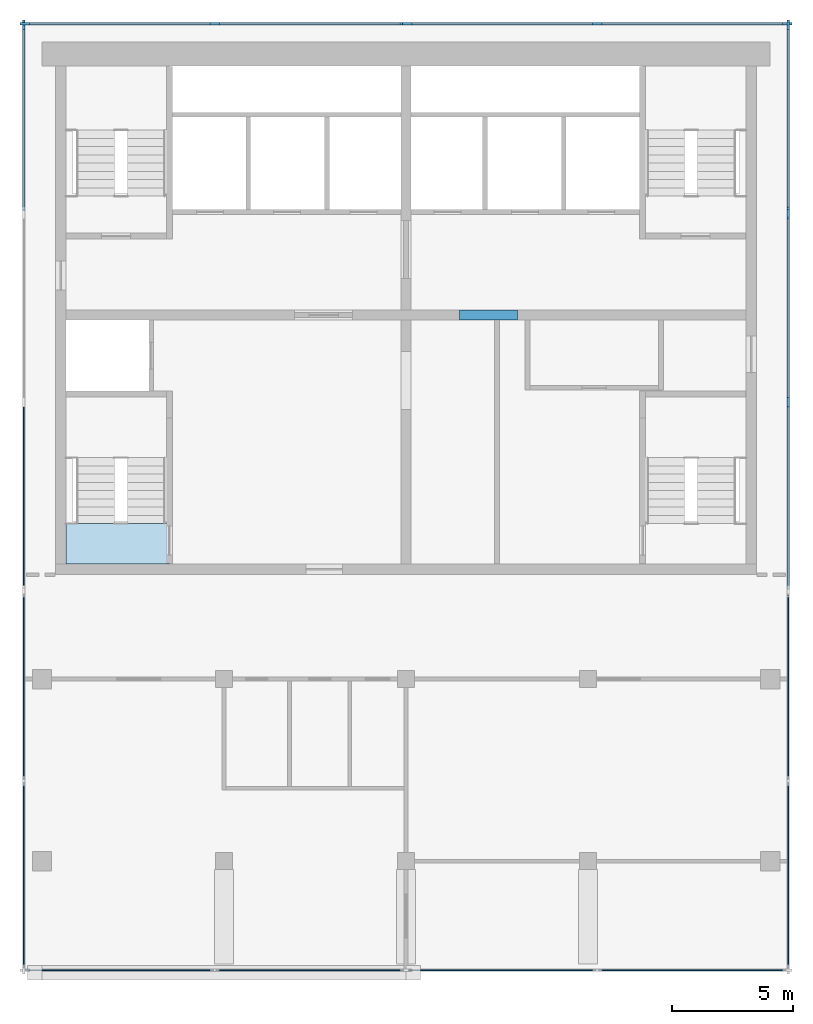
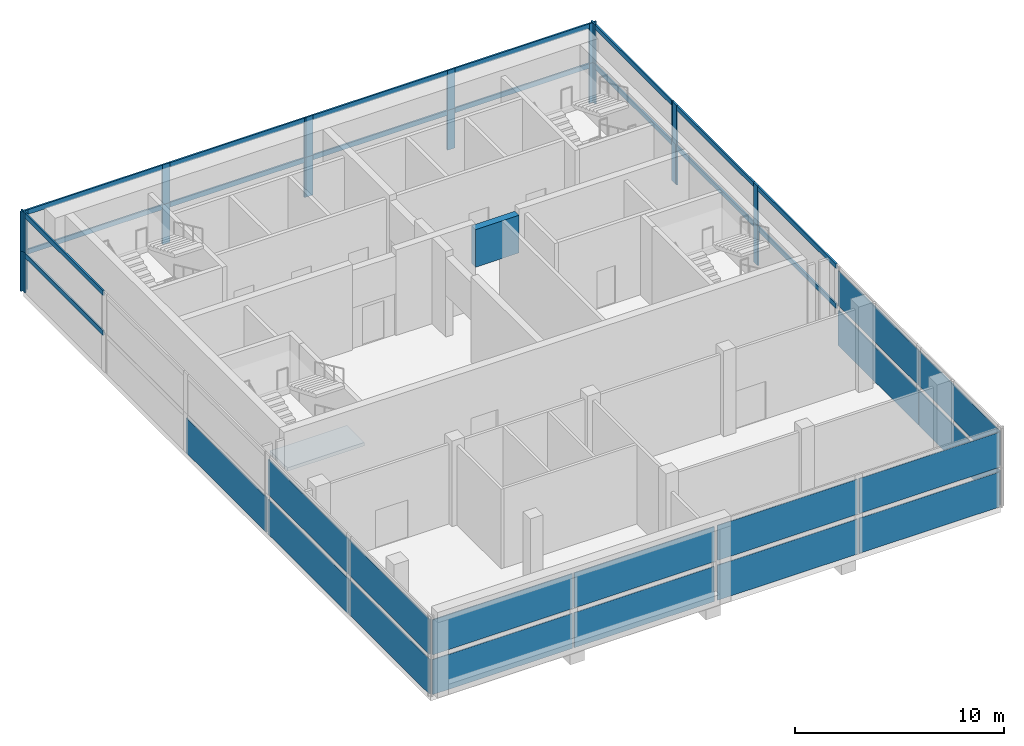
# One storey, part 2 of 6: 38 members, 17 plates, 1 beam, 1 slab, 20 elements without a shape of their own.
"""IFC4 building model written with IfcOpenShell, lengths in metres."""

from ifc_helpers import new_model, si_unit, direction, frame, origin, origin_2d, place, context, subcontext, project, spatial, polyline, rectangle, outline, extrude, material, layer, layer_set, material_profile, profile_set, type_object, element, aggregate, save


model = new_model("IFC4")

# Units and contexts
model_context = context("Model", 3, precision=1e-05, world=origin(), true_north=direction((0.0, 1.0)))
body_context = subcontext(model_context, "Body", "Model", "MODEL_VIEW")
ifc_project = project(units=[si_unit("LENGTHUNIT", "METRE"), si_unit("AREAUNIT", "SQUARE_METRE"), si_unit("VOLUMEUNIT", "CUBIC_METRE"), si_unit("PLANEANGLEUNIT", "RADIAN"), si_unit("MASSUNIT", "GRAM", prefix="KILO")], contexts=[model_context])

# Site, building, storey
site_placement = place(None, origin())
site = spatial("IfcSite", under=ifc_project, at=site_placement, CompositionType="ELEMENT")
building_placement = place(site_placement, origin())
building = spatial("IfcBuilding", under=site, at=building_placement, Name="Pilkhan Gate Tower", CompositionType="ELEMENT")
storey_placement = place(building_placement, frame((0.0, 0.0, 287.699951171875)))
storey = spatial("IfcBuildingStorey", under=building, at=storey_placement, Name="L75", CompositionType="ELEMENT", Elevation=287.699951171875)

# Beam
ifc_material_1 = material(Name="Concrete C50/60", Category="concrete")
ifc_material_profile_1 = material_profile(ifc_material_1, rectangle(XDim=0.39990234375, YDim=2.199951171875, at=origin_2d()), Name="RC 400x2200")
ifc_profile_set_1 = profile_set([ifc_material_profile_1], Name="Concrete C50/60")
beam_type = type_object("IfcBeamType", Name="Coupling beam CB220-4 RC 400x2200 C50/60", PredefinedType="LINTEL", material=ifc_profile_set_1)
beam_placement = place(storey_placement, frame((77.199951171875, 82.5, 3.550048828125), z_axis=(1.0, 0.0, 0.0), x_axis=(0.0, 1.0, 0.0)))
element("IfcBeam", 1, at=beam_placement, inside=storey, type_object=beam_type, Name="Coupling beam 2 L75", PredefinedType="LINTEL", context=body_context, shape_type="SweptSolid", body=[
    extrude(rectangle(XDim=0.39990234375, YDim=2.199951171875, at=origin_2d()), origin(), (0.0, 0.0, 1.0), 2.400146484375),
])

# Curtain wall, members
ifc_material_2 = material(Name="Pale anodised aluminium, clear low-iron laminated glazing", Category="aluminium")
curtain_wall_type = type_object("IfcCurtainWallType", Name="Sky lobby and deck curtain wall CW-S", PredefinedType="USERDEFINED", material=ifc_material_2)
curtain_wall_1_placement = place(storey_placement, origin())
curtain_wall_1 = element("IfcCurtainWall", 2, at=curtain_wall_1_placement, inside=storey, type_object=curtain_wall_type, Name="Sky lobby and deck curtain wall CW-S L75 E", ObjectType="UNITISED CURTAIN WALL", PredefinedType="USERDEFINED")
ifc_material_3 = material(Name="Pale anodised aluminium", Category="aluminium")
ifc_material_profile_2 = material_profile(ifc_material_3, rectangle(XDim=0.090087890625, YDim=0.39990234375, at=origin_2d()), Name="Mullion 400x90")
ifc_profile_set_2 = profile_set([ifc_material_profile_2], Name="Pale anodised aluminium")
member_type_1 = type_object("IfcMemberType", Name="Mullion CW-S 400x90", PredefinedType="MULLION", material=ifc_profile_set_2)
member_1_placement = place(storey_placement, frame((90.75, 78.89990234375, 0.0), z_axis=(0.0, 0.0, 1.0), x_axis=(-1.0, 0.0, 0.0)))
member_1 = element("IfcMember", 3, at=member_1_placement, type_object=member_type_1, Name="CW-S mullion 2", PredefinedType="MULLION", context=body_context, shape_type="SweptSolid", body=[
    extrude(rectangle(XDim=0.090087890625, YDim=0.39990234375, at=origin_2d()), origin(), (0.0, 0.0, 1.0), 2.324951171875),
])
member_2_placement = place(storey_placement, frame((90.75, 86.655029296875, 0.0), z_axis=(0.0, 0.0, 1.0), x_axis=(-1.0, 0.0, 0.0)))
member_2 = element("IfcMember", 4, at=member_2_placement, type_object=member_type_1, Name="CW-S mullion 3", PredefinedType="MULLION", context=body_context, shape_type="SweptSolid", body=[
    extrude(rectangle(XDim=0.090087890625, YDim=0.39990234375, at=origin_2d()), origin(), (0.0, 0.0, 1.0), 2.324951171875),
])

curtain_wall_2_placement = place(storey_placement, origin())
curtain_wall_2 = element("IfcCurtainWall", 5, at=curtain_wall_2_placement, inside=storey, type_object=curtain_wall_type, Name="Sky lobby and deck curtain wall CW-S L75 E", ObjectType="UNITISED CURTAIN WALL", PredefinedType="USERDEFINED")
member_3_placement = place(storey_placement, frame((90.75, 86.7451171875, 0.0), z_axis=(0.0, 0.0, 1.0), x_axis=(-1.0, 0.0, 0.0)))
member_3 = element("IfcMember", 6, at=member_3_placement, type_object=member_type_1, Name="CW-S mullion 1", PredefinedType="MULLION", context=body_context, shape_type="SweptSolid", body=[
    extrude(rectangle(XDim=0.090087890625, YDim=0.39990234375, at=origin_2d()), origin(), (0.0, 0.0, 1.0), 2.324951171875),
])
member_4_placement = place(storey_placement, frame((90.75, 94.455078125, 0.0), z_axis=(0.0, 0.0, 1.0), x_axis=(-1.0, 0.0, 0.0)))
member_4 = element("IfcMember", 7, at=member_4_placement, type_object=member_type_1, Name="CW-S mullion 2", PredefinedType="MULLION", context=body_context, shape_type="SweptSolid", body=[
    extrude(rectangle(XDim=0.090087890625, YDim=0.39990234375, at=origin_2d()), origin(), (0.0, 0.0, 1.0), 2.324951171875),
])

curtain_wall_3_placement = place(storey_placement, origin())
curtain_wall_3 = element("IfcCurtainWall", 8, at=curtain_wall_3_placement, inside=storey, type_object=curtain_wall_type, Name="Sky lobby and deck curtain wall CW-S L75 E", ObjectType="UNITISED CURTAIN WALL", PredefinedType="USERDEFINED")
member_5_placement = place(storey_placement, frame((90.75, 78.89990234375, 2.324951171875), z_axis=(0.0, 0.0, 1.0), x_axis=(-1.0, 0.0, 0.0)))
member_5 = element("IfcMember", 9, at=member_5_placement, type_object=member_type_1, Name="CW-S mullion 2", PredefinedType="MULLION", context=body_context, shape_type="SweptSolid", body=[
    extrude(rectangle(XDim=0.090087890625, YDim=0.39990234375, at=origin_2d()), origin(), (0.0, 0.0, 1.0), 2.3251953125),
])
member_6_placement = place(storey_placement, frame((90.75, 86.655029296875, 2.324951171875), z_axis=(0.0, 0.0, 1.0), x_axis=(-1.0, 0.0, 0.0)))
member_6 = element("IfcMember", 10, at=member_6_placement, type_object=member_type_1, Name="CW-S mullion 3", PredefinedType="MULLION", context=body_context, shape_type="SweptSolid", body=[
    extrude(rectangle(XDim=0.090087890625, YDim=0.39990234375, at=origin_2d()), origin(), (0.0, 0.0, 1.0), 2.3251953125),
])

curtain_wall_4_placement = place(storey_placement, origin())
curtain_wall_4 = element("IfcCurtainWall", 11, at=curtain_wall_4_placement, inside=storey, type_object=curtain_wall_type, Name="Sky lobby and deck curtain wall CW-S L75 E", ObjectType="UNITISED CURTAIN WALL", PredefinedType="USERDEFINED")
member_7_placement = place(storey_placement, frame((90.75, 86.7451171875, 2.324951171875), z_axis=(0.0, 0.0, 1.0), x_axis=(-1.0, 0.0, 0.0)))
member_7 = element("IfcMember", 12, at=member_7_placement, type_object=member_type_1, Name="CW-S mullion 1", PredefinedType="MULLION", context=body_context, shape_type="SweptSolid", body=[
    extrude(rectangle(XDim=0.090087890625, YDim=0.39990234375, at=origin_2d()), origin(), (0.0, 0.0, 1.0), 2.3251953125),
])
member_8_placement = place(storey_placement, frame((90.75, 94.455078125, 2.324951171875), z_axis=(0.0, 0.0, 1.0), x_axis=(-1.0, 0.0, 0.0)))
member_8 = element("IfcMember", 13, at=member_8_placement, type_object=member_type_1, Name="CW-S mullion 2", PredefinedType="MULLION", context=body_context, shape_type="SweptSolid", body=[
    extrude(rectangle(XDim=0.090087890625, YDim=0.39990234375, at=origin_2d()), origin(), (0.0, 0.0, 1.0), 2.3251953125),
])

curtain_wall_5_placement = place(storey_placement, origin())
curtain_wall_5 = element("IfcCurtainWall", 14, at=curtain_wall_5_placement, inside=storey, type_object=curtain_wall_type, Name="Sky lobby and deck curtain wall CW-S L75 N", ObjectType="UNITISED CURTAIN WALL", PredefinedType="USERDEFINED")
member_9_placement = place(storey_placement, frame((59.294921875, 94.5, 0.0), z_axis=(0.0, 0.0, 1.0), x_axis=(0.0, 1.0, 0.0)))
member_9 = element("IfcMember", 15, at=member_9_placement, type_object=member_type_1, Name="CW-S mullion 1", PredefinedType="MULLION", context=body_context, shape_type="SweptSolid", body=[
    extrude(rectangle(XDim=0.090087890625, YDim=0.39990234375, at=origin_2d()), origin(), (0.0, 0.0, 1.0), 2.324951171875),
])
member_10_placement = place(storey_placement, frame((67.125, 94.5, 0.0), z_axis=(0.0, 0.0, 1.0), x_axis=(0.0, 1.0, 0.0)))
member_10 = element("IfcMember", 16, at=member_10_placement, type_object=member_type_1, Name="CW-S mullion 2", PredefinedType="MULLION", context=body_context, shape_type="SweptSolid", body=[
    extrude(rectangle(XDim=0.090087890625, YDim=0.39990234375, at=origin_2d()), origin(), (0.0, 0.0, 1.0), 2.324951171875),
])
member_11_placement = place(storey_placement, frame((74.955078125, 94.5, 0.0), z_axis=(0.0, 0.0, 1.0), x_axis=(0.0, 1.0, 0.0)))
member_11 = element("IfcMember", 17, at=member_11_placement, type_object=member_type_1, Name="CW-S mullion 3", PredefinedType="MULLION", context=body_context, shape_type="SweptSolid", body=[
    extrude(rectangle(XDim=0.090087890625, YDim=0.39990234375, at=origin_2d()), origin(), (0.0, 0.0, 1.0), 2.324951171875),
])

curtain_wall_6_placement = place(storey_placement, origin())
curtain_wall_6 = element("IfcCurtainWall", 18, at=curtain_wall_6_placement, inside=storey, type_object=curtain_wall_type, Name="Sky lobby and deck curtain wall CW-S L75 N", ObjectType="UNITISED CURTAIN WALL", PredefinedType="USERDEFINED")
member_12_placement = place(storey_placement, frame((75.044921875, 94.5, 0.0), z_axis=(0.0, 0.0, 1.0), x_axis=(0.0, 1.0, 0.0)))
member_12 = element("IfcMember", 19, at=member_12_placement, type_object=member_type_1, Name="CW-S mullion 1", PredefinedType="MULLION", context=body_context, shape_type="SweptSolid", body=[
    extrude(rectangle(XDim=0.090087890625, YDim=0.39990234375, at=origin_2d()), origin(), (0.0, 0.0, 1.0), 2.324951171875),
])
member_13_placement = place(storey_placement, frame((82.875, 94.5, 0.0), z_axis=(0.0, 0.0, 1.0), x_axis=(0.0, 1.0, 0.0)))
member_13 = element("IfcMember", 20, at=member_13_placement, type_object=member_type_1, Name="CW-S mullion 2", PredefinedType="MULLION", context=body_context, shape_type="SweptSolid", body=[
    extrude(rectangle(XDim=0.090087890625, YDim=0.39990234375, at=origin_2d()), origin(), (0.0, 0.0, 1.0), 2.324951171875),
])
member_14_placement = place(storey_placement, frame((90.705078125, 94.5, 0.0), z_axis=(0.0, 0.0, 1.0), x_axis=(0.0, 1.0, 0.0)))
member_14 = element("IfcMember", 21, at=member_14_placement, type_object=member_type_1, Name="CW-S mullion 3", PredefinedType="MULLION", context=body_context, shape_type="SweptSolid", body=[
    extrude(rectangle(XDim=0.090087890625, YDim=0.39990234375, at=origin_2d()), origin(), (0.0, 0.0, 1.0), 2.324951171875),
])

curtain_wall_7_placement = place(storey_placement, origin())
curtain_wall_7 = element("IfcCurtainWall", 22, at=curtain_wall_7_placement, inside=storey, type_object=curtain_wall_type, Name="Sky lobby and deck curtain wall CW-S L75 N", ObjectType="UNITISED CURTAIN WALL", PredefinedType="USERDEFINED")
member_15_placement = place(storey_placement, frame((59.294921875, 94.5, 2.324951171875), z_axis=(0.0, 0.0, 1.0), x_axis=(0.0, 1.0, 0.0)))
member_15 = element("IfcMember", 23, at=member_15_placement, type_object=member_type_1, Name="CW-S mullion 1", PredefinedType="MULLION", context=body_context, shape_type="SweptSolid", body=[
    extrude(rectangle(XDim=0.090087890625, YDim=0.39990234375, at=origin_2d()), origin(), (0.0, 0.0, 1.0), 2.3251953125),
])
member_16_placement = place(storey_placement, frame((67.125, 94.5, 2.324951171875), z_axis=(0.0, 0.0, 1.0), x_axis=(0.0, 1.0, 0.0)))
member_16 = element("IfcMember", 24, at=member_16_placement, type_object=member_type_1, Name="CW-S mullion 2", PredefinedType="MULLION", context=body_context, shape_type="SweptSolid", body=[
    extrude(rectangle(XDim=0.090087890625, YDim=0.39990234375, at=origin_2d()), origin(), (0.0, 0.0, 1.0), 2.3251953125),
])
member_17_placement = place(storey_placement, frame((74.955078125, 94.5, 2.324951171875), z_axis=(0.0, 0.0, 1.0), x_axis=(0.0, 1.0, 0.0)))
member_17 = element("IfcMember", 25, at=member_17_placement, type_object=member_type_1, Name="CW-S mullion 3", PredefinedType="MULLION", context=body_context, shape_type="SweptSolid", body=[
    extrude(rectangle(XDim=0.090087890625, YDim=0.39990234375, at=origin_2d()), origin(), (0.0, 0.0, 1.0), 2.3251953125),
])

curtain_wall_8_placement = place(storey_placement, origin())
curtain_wall_8 = element("IfcCurtainWall", 26, at=curtain_wall_8_placement, inside=storey, type_object=curtain_wall_type, Name="Sky lobby and deck curtain wall CW-S L75 N", ObjectType="UNITISED CURTAIN WALL", PredefinedType="USERDEFINED")
member_18_placement = place(storey_placement, frame((75.044921875, 94.5, 2.324951171875), z_axis=(0.0, 0.0, 1.0), x_axis=(0.0, 1.0, 0.0)))
member_18 = element("IfcMember", 27, at=member_18_placement, type_object=member_type_1, Name="CW-S mullion 1", PredefinedType="MULLION", context=body_context, shape_type="SweptSolid", body=[
    extrude(rectangle(XDim=0.090087890625, YDim=0.39990234375, at=origin_2d()), origin(), (0.0, 0.0, 1.0), 2.3251953125),
])
member_19_placement = place(storey_placement, frame((82.875, 94.5, 2.324951171875), z_axis=(0.0, 0.0, 1.0), x_axis=(0.0, 1.0, 0.0)))
member_19 = element("IfcMember", 28, at=member_19_placement, type_object=member_type_1, Name="CW-S mullion 2", PredefinedType="MULLION", context=body_context, shape_type="SweptSolid", body=[
    extrude(rectangle(XDim=0.090087890625, YDim=0.39990234375, at=origin_2d()), origin(), (0.0, 0.0, 1.0), 2.3251953125),
])
member_20_placement = place(storey_placement, frame((90.705078125, 94.5, 2.324951171875), z_axis=(0.0, 0.0, 1.0), x_axis=(0.0, 1.0, 0.0)))
member_20 = element("IfcMember", 29, at=member_20_placement, type_object=member_type_1, Name="CW-S mullion 3", PredefinedType="MULLION", context=body_context, shape_type="SweptSolid", body=[
    extrude(rectangle(XDim=0.090087890625, YDim=0.39990234375, at=origin_2d()), origin(), (0.0, 0.0, 1.0), 2.3251953125),
])

# Curtain wall, member
curtain_wall_9_placement = place(storey_placement, origin())
curtain_wall_9 = element("IfcCurtainWall", 30, at=curtain_wall_9_placement, inside=storey, type_object=curtain_wall_type, Name="Sky lobby and deck curtain wall CW-S L75 W", ObjectType="UNITISED CURTAIN WALL", PredefinedType="USERDEFINED")
member_21_placement = place(storey_placement, frame((59.25, 94.455078125, 0.0), z_axis=(0.0, 0.0, 1.0), x_axis=(-1.0, 0.0, 0.0)))
member_21 = element("IfcMember", 31, at=member_21_placement, type_object=member_type_1, Name="CW-S mullion 2", PredefinedType="MULLION", context=body_context, shape_type="SweptSolid", body=[
    extrude(rectangle(XDim=0.090087890625, YDim=0.39990234375, at=origin_2d()), origin(), (0.0, 0.0, 1.0), 2.324951171875),
])

curtain_wall_10_placement = place(storey_placement, origin())
curtain_wall_10 = element("IfcCurtainWall", 32, at=curtain_wall_10_placement, inside=storey, type_object=curtain_wall_type, Name="Sky lobby and deck curtain wall CW-S L75 W", ObjectType="UNITISED CURTAIN WALL", PredefinedType="USERDEFINED")
member_22_placement = place(storey_placement, frame((59.25, 94.455078125, 2.324951171875), z_axis=(0.0, 0.0, 1.0), x_axis=(-1.0, 0.0, 0.0)))
member_22 = element("IfcMember", 33, at=member_22_placement, type_object=member_type_1, Name="CW-S mullion 2", PredefinedType="MULLION", context=body_context, shape_type="SweptSolid", body=[
    extrude(rectangle(XDim=0.090087890625, YDim=0.39990234375, at=origin_2d()), origin(), (0.0, 0.0, 1.0), 2.3251953125),
])

# Member
ifc_material_profile_3 = material_profile(ifc_material_3, rectangle(XDim=0.090087890625, YDim=0.280029296875, at=origin_2d()), Name="Transom 280x90")
ifc_profile_set_3 = profile_set([ifc_material_profile_3], Name="Pale anodised aluminium")
member_type_2 = type_object("IfcMemberType", Name="Transom CW-S 280x90", PredefinedType="USERDEFINED", material=ifc_profile_set_3)
member_23_placement = place(storey_placement, frame((90.75, 71.18994140625, 2.18505859375), z_axis=(0.0, 1.0, 0.0), x_axis=(-1.0, 0.0, 0.0)))
member_23 = element("IfcMember", 34, at=member_23_placement, type_object=member_type_2, Name="CW-S transom 1", ObjectType="TRANSOM", PredefinedType="USERDEFINED", context=body_context, shape_type="SweptSolid", body=[
    extrude(rectangle(XDim=0.090087890625, YDim=0.280029296875, at=origin_2d()), origin(), (0.0, 0.0, 1.0), 7.6650390625),
])

member_24_placement = place(storey_placement, frame((90.75, 78.945068359375, 2.18505859375), z_axis=(0.0, 1.0, 0.0), x_axis=(-1.0, 0.0, 0.0)))
member_24 = element("IfcMember", 35, at=member_24_placement, type_object=member_type_2, Name="CW-S transom 2", ObjectType="TRANSOM", PredefinedType="USERDEFINED", context=body_context, shape_type="SweptSolid", body=[
    extrude(rectangle(XDim=0.090087890625, YDim=0.280029296875, at=origin_2d()), origin(), (0.0, 0.0, 1.0), 7.6650390625),
])

aggregate(curtain_wall_1, [member_1, member_2, member_23, member_24])

member_25_placement = place(storey_placement, frame((90.75, 86.7900390625, 2.18505859375), z_axis=(0.0, 1.0, 0.0), x_axis=(-1.0, 0.0, 0.0)))
member_25 = element("IfcMember", 36, at=member_25_placement, type_object=member_type_2, Name="CW-S transom 1", ObjectType="TRANSOM", PredefinedType="USERDEFINED", context=body_context, shape_type="SweptSolid", body=[
    extrude(rectangle(XDim=0.090087890625, YDim=0.280029296875, at=origin_2d()), origin(), (0.0, 0.0, 1.0), 7.619873046875),
])

aggregate(curtain_wall_2, [member_3, member_4, member_25])

member_26_placement = place(storey_placement, frame((90.75, 71.18994140625, 4.510009765625), z_axis=(0.0, 1.0, 0.0), x_axis=(-1.0, 0.0, 0.0)))
member_26 = element("IfcMember", 37, at=member_26_placement, type_object=member_type_2, Name="CW-S transom 1", ObjectType="TRANSOM", PredefinedType="USERDEFINED", context=body_context, shape_type="SweptSolid", body=[
    extrude(rectangle(XDim=0.090087890625, YDim=0.280029296875, at=origin_2d()), origin(), (0.0, 0.0, 1.0), 7.6650390625),
])

member_27_placement = place(storey_placement, frame((90.75, 78.945068359375, 4.510009765625), z_axis=(0.0, 1.0, 0.0), x_axis=(-1.0, 0.0, 0.0)))
member_27 = element("IfcMember", 38, at=member_27_placement, type_object=member_type_2, Name="CW-S transom 2", ObjectType="TRANSOM", PredefinedType="USERDEFINED", context=body_context, shape_type="SweptSolid", body=[
    extrude(rectangle(XDim=0.090087890625, YDim=0.280029296875, at=origin_2d()), origin(), (0.0, 0.0, 1.0), 7.6650390625),
])

aggregate(curtain_wall_3, [member_5, member_6, member_26, member_27])

member_28_placement = place(storey_placement, frame((90.75, 86.7900390625, 4.510009765625), z_axis=(0.0, 1.0, 0.0), x_axis=(-1.0, 0.0, 0.0)))
member_28 = element("IfcMember", 39, at=member_28_placement, type_object=member_type_2, Name="CW-S transom 1", ObjectType="TRANSOM", PredefinedType="USERDEFINED", context=body_context, shape_type="SweptSolid", body=[
    extrude(rectangle(XDim=0.090087890625, YDim=0.280029296875, at=origin_2d()), origin(), (0.0, 0.0, 1.0), 7.619873046875),
])

aggregate(curtain_wall_4, [member_7, member_8, member_28])

member_29_placement = place(storey_placement, frame((59.340087890625, 94.5, 2.18505859375), z_axis=(1.0, 0.0, 0.0), x_axis=(0.0, 1.0, 0.0)))
member_29 = element("IfcMember", 40, at=member_29_placement, type_object=member_type_2, Name="CW-S transom 1", ObjectType="TRANSOM", PredefinedType="USERDEFINED", context=body_context, shape_type="SweptSolid", body=[
    extrude(rectangle(XDim=0.090087890625, YDim=0.280029296875, at=origin_2d()), origin(), (0.0, 0.0, 1.0), 7.739990234375),
])

member_30_placement = place(storey_placement, frame((67.169921875, 94.5, 2.18505859375), z_axis=(1.0, 0.0, 0.0), x_axis=(0.0, 1.0, 0.0)))
member_30 = element("IfcMember", 41, at=member_30_placement, type_object=member_type_2, Name="CW-S transom 2", ObjectType="TRANSOM", PredefinedType="USERDEFINED", context=body_context, shape_type="SweptSolid", body=[
    extrude(rectangle(XDim=0.090087890625, YDim=0.280029296875, at=origin_2d()), origin(), (0.0, 0.0, 1.0), 7.739990234375),
])

aggregate(curtain_wall_5, [member_9, member_10, member_11, member_29, member_30])

member_31_placement = place(storey_placement, frame((75.090087890625, 94.5, 2.18505859375), z_axis=(1.0, 0.0, 0.0), x_axis=(0.0, 1.0, 0.0)))
member_31 = element("IfcMember", 42, at=member_31_placement, type_object=member_type_2, Name="CW-S transom 1", ObjectType="TRANSOM", PredefinedType="USERDEFINED", context=body_context, shape_type="SweptSolid", body=[
    extrude(rectangle(XDim=0.090087890625, YDim=0.280029296875, at=origin_2d()), origin(), (0.0, 0.0, 1.0), 7.739990234375),
])

member_32_placement = place(storey_placement, frame((82.919921875, 94.5, 2.18505859375), z_axis=(1.0, 0.0, 0.0), x_axis=(0.0, 1.0, 0.0)))
member_32 = element("IfcMember", 43, at=member_32_placement, type_object=member_type_2, Name="CW-S transom 2", ObjectType="TRANSOM", PredefinedType="USERDEFINED", context=body_context, shape_type="SweptSolid", body=[
    extrude(rectangle(XDim=0.090087890625, YDim=0.280029296875, at=origin_2d()), origin(), (0.0, 0.0, 1.0), 7.739990234375),
])

aggregate(curtain_wall_6, [member_12, member_13, member_14, member_31, member_32])

member_33_placement = place(storey_placement, frame((59.340087890625, 94.5, 4.510009765625), z_axis=(1.0, 0.0, 0.0), x_axis=(0.0, 1.0, 0.0)))
member_33 = element("IfcMember", 44, at=member_33_placement, type_object=member_type_2, Name="CW-S transom 1", ObjectType="TRANSOM", PredefinedType="USERDEFINED", context=body_context, shape_type="SweptSolid", body=[
    extrude(rectangle(XDim=0.090087890625, YDim=0.280029296875, at=origin_2d()), origin(), (0.0, 0.0, 1.0), 7.739990234375),
])

member_34_placement = place(storey_placement, frame((67.169921875, 94.5, 4.510009765625), z_axis=(1.0, 0.0, 0.0), x_axis=(0.0, 1.0, 0.0)))
member_34 = element("IfcMember", 45, at=member_34_placement, type_object=member_type_2, Name="CW-S transom 2", ObjectType="TRANSOM", PredefinedType="USERDEFINED", context=body_context, shape_type="SweptSolid", body=[
    extrude(rectangle(XDim=0.090087890625, YDim=0.280029296875, at=origin_2d()), origin(), (0.0, 0.0, 1.0), 7.739990234375),
])

aggregate(curtain_wall_7, [member_15, member_16, member_17, member_33, member_34])

member_35_placement = place(storey_placement, frame((75.090087890625, 94.5, 4.510009765625), z_axis=(1.0, 0.0, 0.0), x_axis=(0.0, 1.0, 0.0)))
member_35 = element("IfcMember", 46, at=member_35_placement, type_object=member_type_2, Name="CW-S transom 1", ObjectType="TRANSOM", PredefinedType="USERDEFINED", context=body_context, shape_type="SweptSolid", body=[
    extrude(rectangle(XDim=0.090087890625, YDim=0.280029296875, at=origin_2d()), origin(), (0.0, 0.0, 1.0), 7.739990234375),
])

member_36_placement = place(storey_placement, frame((82.919921875, 94.5, 4.510009765625), z_axis=(1.0, 0.0, 0.0), x_axis=(0.0, 1.0, 0.0)))
member_36 = element("IfcMember", 47, at=member_36_placement, type_object=member_type_2, Name="CW-S transom 2", ObjectType="TRANSOM", PredefinedType="USERDEFINED", context=body_context, shape_type="SweptSolid", body=[
    extrude(rectangle(XDim=0.090087890625, YDim=0.280029296875, at=origin_2d()), origin(), (0.0, 0.0, 1.0), 7.739990234375),
])

aggregate(curtain_wall_8, [member_18, member_19, member_20, member_35, member_36])

member_37_placement = place(storey_placement, frame((59.25, 86.7900390625, 2.18505859375), z_axis=(0.0, 1.0, 0.0), x_axis=(-1.0, 0.0, 0.0)))
member_37 = element("IfcMember", 48, at=member_37_placement, type_object=member_type_2, Name="CW-S transom 1", ObjectType="TRANSOM", PredefinedType="USERDEFINED", context=body_context, shape_type="SweptSolid", body=[
    extrude(rectangle(XDim=0.090087890625, YDim=0.280029296875, at=origin_2d()), origin(), (0.0, 0.0, 1.0), 7.619873046875),
])

aggregate(curtain_wall_9, [member_21, member_37])

member_38_placement = place(storey_placement, frame((59.25, 86.7900390625, 4.510009765625), z_axis=(0.0, 1.0, 0.0), x_axis=(-1.0, 0.0, 0.0)))
member_38 = element("IfcMember", 49, at=member_38_placement, type_object=member_type_2, Name="CW-S transom 1", ObjectType="TRANSOM", PredefinedType="USERDEFINED", context=body_context, shape_type="SweptSolid", body=[
    extrude(rectangle(XDim=0.090087890625, YDim=0.280029296875, at=origin_2d()), origin(), (0.0, 0.0, 1.0), 7.619873046875),
])

aggregate(curtain_wall_10, [member_22, member_38])

# Curtain wall, plates
curtain_wall_11_placement = place(storey_placement, origin())
curtain_wall_11 = element("IfcCurtainWall", 50, at=curtain_wall_11_placement, inside=storey, type_object=curtain_wall_type, Name="Sky lobby and deck curtain wall CW-S L75 E", ObjectType="UNITISED CURTAIN WALL", PredefinedType="USERDEFINED")
ifc_material_4 = material(Name="Clear low-iron laminated glazing", Category="glass")
ifc_layer_1 = layer(ifc_material_4, 0.055908203125)
ifc_layer_set_1 = layer_set([ifc_layer_1], Name="Glass panel CW-S 56")
plate_type = type_object("IfcPlateType", Name="Glass panel CW-S 56", PredefinedType="CURTAIN_PANEL", material=ifc_layer_set_1)
plate_1_placement = place(storey_placement, frame((90.75, 59.422607421875, 0.0), z_axis=(0.0, 0.0, 1.0), x_axis=(0.0, 1.0, 0.0)))
plate_1 = element("IfcPlate", 51, at=plate_1_placement, type_object=plate_type, Name="CW-S panel 1", PredefinedType="CURTAIN_PANEL", context=body_context, shape_type="SweptSolid", body=[
    extrude(rectangle(XDim=7.6650390625, YDim=0.055908203125, at=origin_2d()), origin(), (0.0, 0.0, 1.0), 2.044921875),
])
plate_2_placement = place(storey_placement, frame((90.75, 67.177490234375, 0.0), z_axis=(0.0, 0.0, 1.0), x_axis=(0.0, 1.0, 0.0)))
plate_2 = element("IfcPlate", 52, at=plate_2_placement, type_object=plate_type, Name="CW-S panel 2", PredefinedType="CURTAIN_PANEL", context=body_context, shape_type="SweptSolid", body=[
    extrude(rectangle(XDim=7.6650390625, YDim=0.055908203125, at=origin_2d()), origin(), (0.0, 0.0, 1.0), 2.044921875),
])
aggregate(curtain_wall_11, [plate_1, plate_2])

curtain_wall_12_placement = place(storey_placement, origin())
curtain_wall_12 = element("IfcCurtainWall", 53, at=curtain_wall_12_placement, inside=storey, type_object=curtain_wall_type, Name="Sky lobby and deck curtain wall CW-S L75 E", ObjectType="UNITISED CURTAIN WALL", PredefinedType="USERDEFINED")
plate_3_placement = place(storey_placement, frame((90.75, 59.422607421875, 2.3251953125), z_axis=(0.0, 0.0, 1.0), x_axis=(0.0, 1.0, 0.0)))
plate_3 = element("IfcPlate", 54, at=plate_3_placement, type_object=plate_type, Name="CW-S panel 1", PredefinedType="CURTAIN_PANEL", context=body_context, shape_type="SweptSolid", body=[
    extrude(rectangle(XDim=7.6650390625, YDim=0.055908203125, at=origin_2d()), origin(), (0.0, 0.0, 1.0), 2.044921875),
])
plate_4_placement = place(storey_placement, frame((90.75, 67.177490234375, 2.3251953125), z_axis=(0.0, 0.0, 1.0), x_axis=(0.0, 1.0, 0.0)))
plate_4 = element("IfcPlate", 55, at=plate_4_placement, type_object=plate_type, Name="CW-S panel 2", PredefinedType="CURTAIN_PANEL", context=body_context, shape_type="SweptSolid", body=[
    extrude(rectangle(XDim=7.6650390625, YDim=0.055908203125, at=origin_2d()), origin(), (0.0, 0.0, 1.0), 2.044921875),
])
aggregate(curtain_wall_12, [plate_3, plate_4])

curtain_wall_13_placement = place(storey_placement, origin())
curtain_wall_13 = element("IfcCurtainWall", 56, at=curtain_wall_13_placement, inside=storey, type_object=curtain_wall_type, Name="Sky lobby and deck curtain wall CW-S L75 W", ObjectType="UNITISED CURTAIN WALL", PredefinedType="USERDEFINED")
plate_5_placement = place(storey_placement, frame((59.25, 59.422607421875, 0.0), z_axis=(0.0, 0.0, 1.0), x_axis=(0.0, 1.0, 0.0)))
plate_5 = element("IfcPlate", 57, at=plate_5_placement, type_object=plate_type, Name="CW-S panel 1", PredefinedType="CURTAIN_PANEL", context=body_context, shape_type="SweptSolid", body=[
    extrude(rectangle(XDim=7.6650390625, YDim=0.055908203125, at=origin_2d()), origin(), (0.0, 0.0, 1.0), 2.044921875),
])
plate_6_placement = place(storey_placement, frame((59.25, 67.177490234375, 0.0), z_axis=(0.0, 0.0, 1.0), x_axis=(0.0, 1.0, 0.0)))
plate_6 = element("IfcPlate", 58, at=plate_6_placement, type_object=plate_type, Name="CW-S panel 2", PredefinedType="CURTAIN_PANEL", context=body_context, shape_type="SweptSolid", body=[
    extrude(rectangle(XDim=7.6650390625, YDim=0.055908203125, at=origin_2d()), origin(), (0.0, 0.0, 1.0), 2.044921875),
])
aggregate(curtain_wall_13, [plate_5, plate_6])

# Curtain wall, plate
curtain_wall_14_placement = place(storey_placement, origin())
curtain_wall_14 = element("IfcCurtainWall", 59, at=curtain_wall_14_placement, inside=storey, type_object=curtain_wall_type, Name="Sky lobby and deck curtain wall CW-S L75 W", ObjectType="UNITISED CURTAIN WALL", PredefinedType="USERDEFINED")
plate_7_placement = place(storey_placement, frame((59.25, 75.0224609375, 0.0), z_axis=(0.0, 0.0, 1.0), x_axis=(0.0, 1.0, 0.0)))
plate_7 = element("IfcPlate", 60, at=plate_7_placement, type_object=plate_type, Name="CW-S panel 1", PredefinedType="CURTAIN_PANEL", context=body_context, shape_type="SweptSolid", body=[
    extrude(rectangle(XDim=7.6650390625, YDim=0.055908203125, at=origin_2d()), origin(), (0.0, 0.0, 1.0), 2.044921875),
])
aggregate(curtain_wall_14, [plate_7])

# Curtain wall, plates
curtain_wall_15_placement = place(storey_placement, origin())
curtain_wall_15 = element("IfcCurtainWall", 61, at=curtain_wall_15_placement, inside=storey, type_object=curtain_wall_type, Name="Sky lobby and deck curtain wall CW-S L75 W", ObjectType="UNITISED CURTAIN WALL", PredefinedType="USERDEFINED")
plate_8_placement = place(storey_placement, frame((59.25, 59.422607421875, 2.3251953125), z_axis=(0.0, 0.0, 1.0), x_axis=(0.0, 1.0, 0.0)))
plate_8 = element("IfcPlate", 62, at=plate_8_placement, type_object=plate_type, Name="CW-S panel 1", PredefinedType="CURTAIN_PANEL", context=body_context, shape_type="SweptSolid", body=[
    extrude(rectangle(XDim=7.6650390625, YDim=0.055908203125, at=origin_2d()), origin(), (0.0, 0.0, 1.0), 2.044921875),
])
plate_9_placement = place(storey_placement, frame((59.25, 67.177490234375, 2.3251953125), z_axis=(0.0, 0.0, 1.0), x_axis=(0.0, 1.0, 0.0)))
plate_9 = element("IfcPlate", 63, at=plate_9_placement, type_object=plate_type, Name="CW-S panel 2", PredefinedType="CURTAIN_PANEL", context=body_context, shape_type="SweptSolid", body=[
    extrude(rectangle(XDim=7.6650390625, YDim=0.055908203125, at=origin_2d()), origin(), (0.0, 0.0, 1.0), 2.044921875),
])
aggregate(curtain_wall_15, [plate_8, plate_9])

curtain_wall_16_placement = place(storey_placement, origin())
curtain_wall_16 = element("IfcCurtainWall", 64, at=curtain_wall_16_placement, inside=storey, type_object=curtain_wall_type, Name="Sky lobby and deck curtain wall CW-S L75 S", ObjectType="UNITISED CURTAIN WALL", PredefinedType="USERDEFINED")
plate_10_placement = place(storey_placement, frame((63.2099609375, 55.5, 0.0), z_axis=(0.0, 0.0, 1.0), x_axis=(1.0, 0.0, 0.0)))
plate_10 = element("IfcPlate", 65, at=plate_10_placement, type_object=plate_type, Name="CW-S panel 1", PredefinedType="CURTAIN_PANEL", context=body_context, shape_type="SweptSolid", body=[
    extrude(rectangle(XDim=7.739990234375, YDim=0.055908203125, at=origin_2d()), origin(), (0.0, 0.0, 1.0), 2.044921875),
])
plate_11_placement = place(storey_placement, frame((71.0400390625, 55.5, 0.0), z_axis=(0.0, 0.0, 1.0), x_axis=(1.0, 0.0, 0.0)))
plate_11 = element("IfcPlate", 66, at=plate_11_placement, type_object=plate_type, Name="CW-S panel 2", PredefinedType="CURTAIN_PANEL", context=body_context, shape_type="SweptSolid", body=[
    extrude(rectangle(XDim=7.739990234375, YDim=0.055908203125, at=origin_2d()), origin(), (0.0, 0.0, 1.0), 2.044921875),
])
aggregate(curtain_wall_16, [plate_10, plate_11])

curtain_wall_17_placement = place(storey_placement, origin())
curtain_wall_17 = element("IfcCurtainWall", 67, at=curtain_wall_17_placement, inside=storey, type_object=curtain_wall_type, Name="Sky lobby and deck curtain wall CW-S L75 S", ObjectType="UNITISED CURTAIN WALL", PredefinedType="USERDEFINED")
plate_12_placement = place(storey_placement, frame((78.9599609375, 55.5, 0.0), z_axis=(0.0, 0.0, 1.0), x_axis=(1.0, 0.0, 0.0)))
plate_12 = element("IfcPlate", 68, at=plate_12_placement, type_object=plate_type, Name="CW-S panel 1", PredefinedType="CURTAIN_PANEL", context=body_context, shape_type="SweptSolid", body=[
    extrude(rectangle(XDim=7.739990234375, YDim=0.055908203125, at=origin_2d()), origin(), (0.0, 0.0, 1.0), 2.044921875),
])
plate_13_placement = place(storey_placement, frame((86.7900390625, 55.5, 0.0), z_axis=(0.0, 0.0, 1.0), x_axis=(1.0, 0.0, 0.0)))
plate_13 = element("IfcPlate", 69, at=plate_13_placement, type_object=plate_type, Name="CW-S panel 2", PredefinedType="CURTAIN_PANEL", context=body_context, shape_type="SweptSolid", body=[
    extrude(rectangle(XDim=7.739990234375, YDim=0.055908203125, at=origin_2d()), origin(), (0.0, 0.0, 1.0), 2.044921875),
])
aggregate(curtain_wall_17, [plate_12, plate_13])

curtain_wall_18_placement = place(storey_placement, origin())
curtain_wall_18 = element("IfcCurtainWall", 70, at=curtain_wall_18_placement, inside=storey, type_object=curtain_wall_type, Name="Sky lobby and deck curtain wall CW-S L75 S", ObjectType="UNITISED CURTAIN WALL", PredefinedType="USERDEFINED")
plate_14_placement = place(storey_placement, frame((63.2099609375, 55.5, 2.3251953125), z_axis=(0.0, 0.0, 1.0), x_axis=(1.0, 0.0, 0.0)))
plate_14 = element("IfcPlate", 71, at=plate_14_placement, type_object=plate_type, Name="CW-S panel 1", PredefinedType="CURTAIN_PANEL", context=body_context, shape_type="SweptSolid", body=[
    extrude(rectangle(XDim=7.739990234375, YDim=0.055908203125, at=origin_2d()), origin(), (0.0, 0.0, 1.0), 2.044921875),
])
plate_15_placement = place(storey_placement, frame((71.0400390625, 55.5, 2.3251953125), z_axis=(0.0, 0.0, 1.0), x_axis=(1.0, 0.0, 0.0)))
plate_15 = element("IfcPlate", 72, at=plate_15_placement, type_object=plate_type, Name="CW-S panel 2", PredefinedType="CURTAIN_PANEL", context=body_context, shape_type="SweptSolid", body=[
    extrude(rectangle(XDim=7.739990234375, YDim=0.055908203125, at=origin_2d()), origin(), (0.0, 0.0, 1.0), 2.044921875),
])
aggregate(curtain_wall_18, [plate_14, plate_15])

curtain_wall_19_placement = place(storey_placement, origin())
curtain_wall_19 = element("IfcCurtainWall", 73, at=curtain_wall_19_placement, inside=storey, type_object=curtain_wall_type, Name="Sky lobby and deck curtain wall CW-S L75 S", ObjectType="UNITISED CURTAIN WALL", PredefinedType="USERDEFINED")
plate_16_placement = place(storey_placement, frame((78.9599609375, 55.5, 2.3251953125), z_axis=(0.0, 0.0, 1.0), x_axis=(1.0, 0.0, 0.0)))
plate_16 = element("IfcPlate", 74, at=plate_16_placement, type_object=plate_type, Name="CW-S panel 1", PredefinedType="CURTAIN_PANEL", context=body_context, shape_type="SweptSolid", body=[
    extrude(rectangle(XDim=7.739990234375, YDim=0.055908203125, at=origin_2d()), origin(), (0.0, 0.0, 1.0), 2.044921875),
])
plate_17_placement = place(storey_placement, frame((86.7900390625, 55.5, 2.3251953125), z_axis=(0.0, 0.0, 1.0), x_axis=(1.0, 0.0, 0.0)))
plate_17 = element("IfcPlate", 75, at=plate_17_placement, type_object=plate_type, Name="CW-S panel 2", PredefinedType="CURTAIN_PANEL", context=body_context, shape_type="SweptSolid", body=[
    extrude(rectangle(XDim=7.739990234375, YDim=0.055908203125, at=origin_2d()), origin(), (0.0, 0.0, 1.0), 2.044921875),
])
aggregate(curtain_wall_19, [plate_16, plate_17])

# Stair, slab
ifc_material_5 = material(Name="Concrete C40/50 precast", Category="concrete")
stair_type = type_object("IfcStairType", Name="Stair ST2 139x340", PredefinedType="HALF_TURN_STAIR", material=ifc_material_5)
stair_placement = place(storey_placement, origin())
stair = element("IfcStair", 76, at=stair_placement, inside=storey, type_object=stair_type, Name="Stair ST2 L75", PredefinedType="HALF_TURN_STAIR")
ifc_material_6 = material(Name="Concrete C40/50", Category="concrete")
ifc_layer_2 = layer(ifc_material_6, 0.199951171875)
ifc_layer_set_2 = layer_set([ifc_layer_2], Name="Stair landing SL200")
slab_type = type_object("IfcSlabType", Name="Stair landing SL200", PredefinedType="LANDING", material=ifc_layer_set_2)
slab_placement = place(storey_placement, frame((0.0, 0.0, 2.300048828125)))
slab = element("IfcSlab", 77, at=slab_placement, type_object=slab_type, Name="ST2 landing 2", PredefinedType="LANDING", context=body_context, shape_type="SweptSolid", body=[
    extrude(outline(polyline([(65.25, 72.25), (65.25, 73.89990234375), (61.0, 73.89990234375), (61.0, 72.25), (65.25, 72.25)])), origin(), (0.0, 0.0, 1.0), 0.199951171875),
])
aggregate(stair, [slab])

save(model, "model.ifc")
